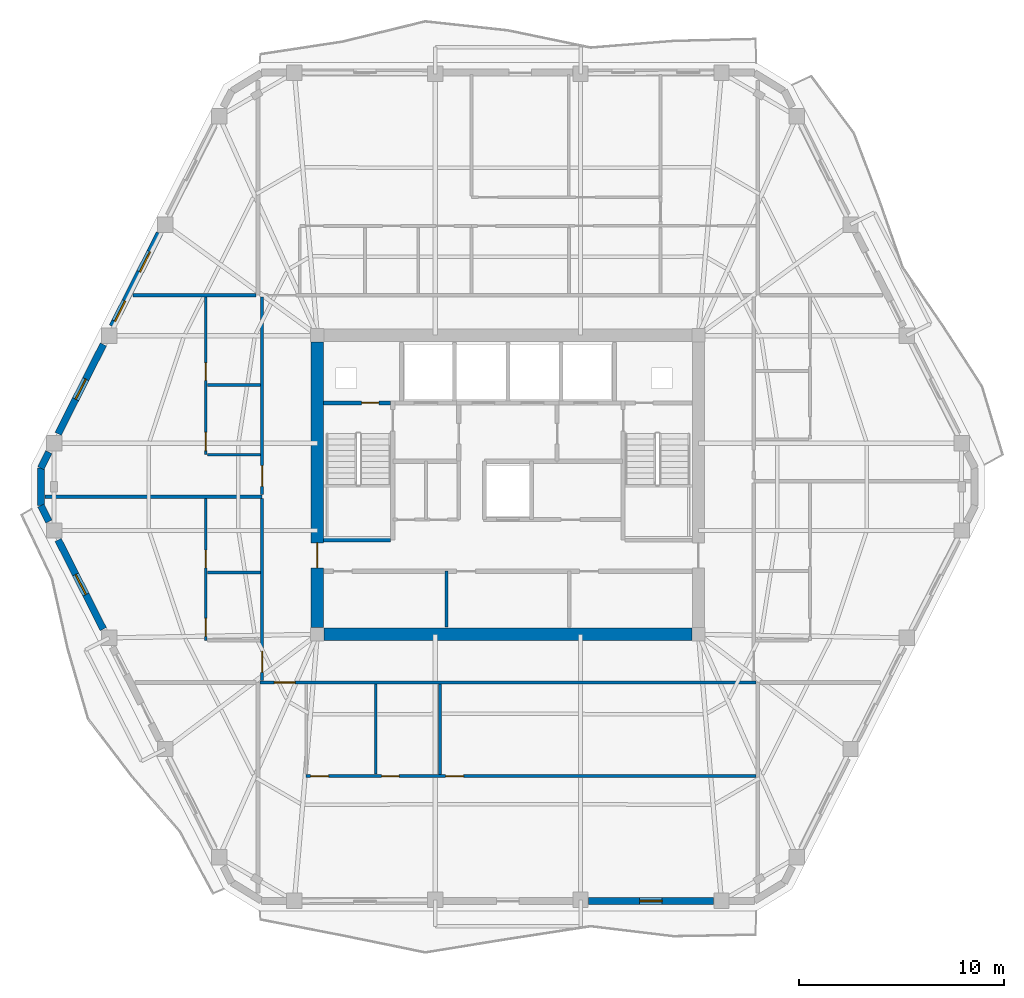
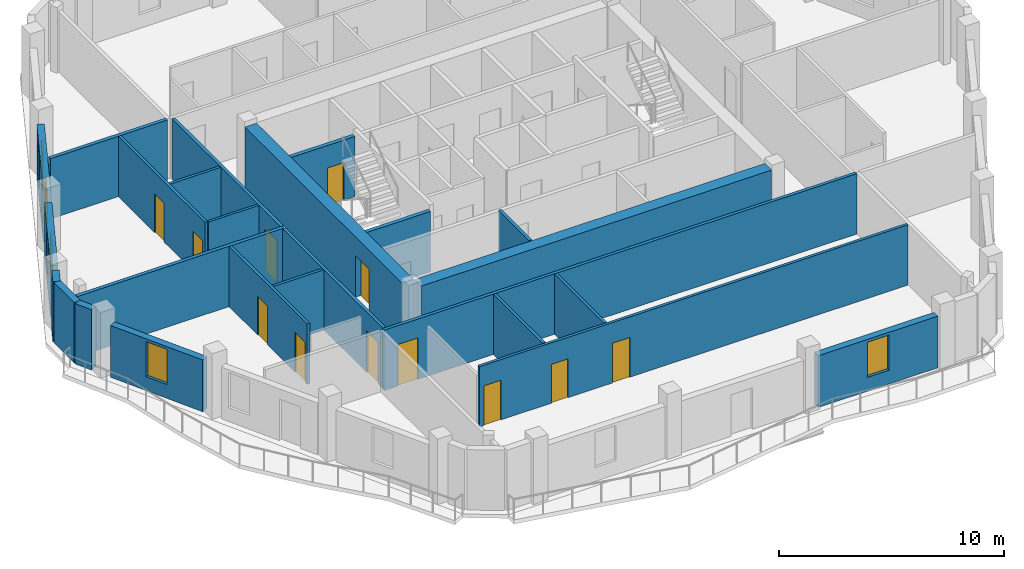
# One storey, part 4 of 10: 25 walls, 12 doors, 5 windows, 17 openings.
"""IFC4 building model written with IfcOpenShell, lengths in metres."""

import ifcopenshell
import ifcopenshell.guid

model = None  # the IFC model being written
_history = None  # IfcOwnerHistory: only IFC2X3 demands one
_inside = {}  # id of a spatial element -> (the spatial element, [elements in it])
_under = {}  # id of a project, library or spatial element -> (it, [spatial elements below it])
_declared = {}  # id of a project -> (the project, [libraries it declares])
_typed = {}  # id of a type object -> (the type object, [elements of that type])
_made_of = {}  # id of a material, layer set ... -> (it, [elements and type objects made of it])


def new_model(schema):
    """Start an empty IFC model of exactly this schema.

    Asked for "IFC4X3", IfcOpenShell would pick the latest addendum, in which some entities
    have other attributes; the version numbers below select the first issue.
    IFC2X3 requires an IfcOwnerHistory on every rooted entity: one is made here for all.
    """
    global model, _history
    if schema == "IFC4X3":
        model = ifcopenshell.file(schema_version=(4, 3, 0, 0))
    else:
        model = ifcopenshell.file(schema=schema)
    _inside.clear()
    _under.clear()
    _declared.clear()
    _typed.clear()
    _made_of.clear()
    _history = None
    if model.schema == "IFC2X3":
        org = make("IfcOrganization", Name="unknown")
        user = make(
            "IfcPersonAndOrganization",
            ThePerson=make("IfcPerson", FamilyName="unknown"),
            TheOrganization=org,
        )
        app = make(
            "IfcApplication",
            ApplicationDeveloper=org,
            Version="unknown",
            ApplicationFullName="unknown",
            ApplicationIdentifier="unknown",
        )
        _history = make(
            "IfcOwnerHistory",
            OwningUser=user,
            OwningApplication=app,
            ChangeAction="ADDED",
            CreationDate=0,
        )
    return model


def make(cls, **values):
    """One entity of the class cls with the attributes given. An attribute that is None is left unset."""
    return model.create_entity(
        cls, **{name: value for name, value in values.items() if value is not None}
    )


def rooted(cls, **values):
    """An entity with a GlobalId (a new one), such as an element, a storey or a relation."""
    return make(cls, GlobalId=ifcopenshell.guid.new(), OwnerHistory=_history, **values)


def si_unit(unit_type, name, prefix=None):
    """IfcSIUnit, for example si_unit("LENGTHUNIT", "METRE", prefix="MILLI")."""
    return make("IfcSIUnit", UnitType=unit_type, Prefix=prefix, Name=name)


def assignment(units):
    """IfcUnitAssignment: the units of a project."""
    return None if units is None else make("IfcUnitAssignment", Units=units)


def point(xyz):
    """IfcCartesianPoint."""
    return None if xyz is None else make("IfcCartesianPoint", Coordinates=xyz)


def direction(xyz):
    """IfcDirection."""
    return None if xyz is None else make("IfcDirection", DirectionRatios=xyz)


def frame(location, z_axis=None, x_axis=None):
    """IfcAxis2Placement3D, a coordinate frame: its origin and axes. An axis left out is left unset."""
    return make(
        "IfcAxis2Placement3D",
        Location=point(location),
        Axis=direction(z_axis),
        RefDirection=direction(x_axis),
    )


def frame_2d(location, x_axis=None):
    """IfcAxis2Placement2D, a coordinate frame in the plane: its origin and x axis."""
    return make(
        "IfcAxis2Placement2D", Location=point(location), RefDirection=direction(x_axis)
    )


def origin():
    """The frame at (0, 0, 0) with its axes left unset."""
    return frame((0.0, 0.0, 0.0))


def place(relative_to, where):
    """IfcLocalPlacement: puts the frame where relative to a parent placement (None: the world)."""
    return make(
        "IfcLocalPlacement", PlacementRelTo=relative_to, RelativePlacement=where
    )


def context(
    kind, dimensions, precision=None, world=None, true_north=None, identifier=None
):
    """IfcGeometricRepresentationContext, for example the 3D "Model" context."""
    return make(
        "IfcGeometricRepresentationContext",
        ContextIdentifier=identifier,
        ContextType=kind,
        CoordinateSpaceDimension=dimensions,
        Precision=precision,
        WorldCoordinateSystem=world,
        TrueNorth=true_north,
    )


def subcontext(parent, identifier, kind, view, scale=None):
    """IfcGeometricRepresentationSubContext, for example "Body" below "Model"."""
    return make(
        "IfcGeometricRepresentationSubContext",
        ContextIdentifier=identifier,
        ContextType=kind,
        ParentContext=parent,
        TargetScale=scale,
        TargetView=view,
    )


def project(units=None, contexts=None):
    """IfcProject with its units and contexts."""
    return rooted(
        "IfcProject",
        Name="project",
        RepresentationContexts=contexts,
        UnitsInContext=assignment(units),
    )


def spatial(cls, under=None, at=None, **own):
    """A site, building, storey or space (cls), placed at a placement, below another one or the project."""
    s = rooted(cls, ObjectPlacement=at, **own)
    if under is not None:
        _under.setdefault(under.id(), (under, []))[1].append(s)
    return s


def profile(cls, at=None, kind="AREA", **sizes):
    """A parametric profile (cls). Its sizes go by their IFC names, for example OverallWidth=200.0."""
    return make(cls, ProfileType=kind, Position=at, **sizes)


def rectangle(**sizes):
    """IfcRectangleProfileDef."""
    return profile("IfcRectangleProfileDef", **sizes)


def extrude(swept, where, along, depth):
    """IfcExtrudedAreaSolid: the profile swept, set in the frame where, extruded along a direction by depth."""
    return make(
        "IfcExtrudedAreaSolid",
        SweptArea=swept,
        Position=where,
        ExtrudedDirection=direction(along),
        Depth=depth,
    )


def shape(context_of_items, identifier, shape_type, items):
    """IfcShapeRepresentation: the items that make up one representation, for example the "Body"."""
    return make(
        "IfcShapeRepresentation",
        ContextOfItems=context_of_items,
        RepresentationIdentifier=identifier,
        RepresentationType=shape_type,
        Items=items,
    )


def material(Name=None, Category=None):
    """IfcMaterial."""
    return make("IfcMaterial", Name=Name, Category=Category)


def layer(
    of_material, thickness, ventilated=None, Name=None, Category=None, Priority=None
):
    """IfcMaterialLayer: one layer of a wall or slab, of a material (None: an air gap)."""
    return make(
        "IfcMaterialLayer",
        Material=of_material,
        LayerThickness=thickness,
        IsVentilated=ventilated,
        Name=Name,
        Category=Category,
        Priority=Priority,
    )


def layer_set(layers, Name=None):
    """IfcMaterialLayerSet."""
    return make("IfcMaterialLayerSet", MaterialLayers=layers, LayerSetName=Name)


def made_of(thing, what):
    """Note that an element or type object is made of a material, layer set ...; save() writes the relation."""
    if what is not None:
        _made_of.setdefault(what.id(), (what, []))[1].append(thing)
    return thing


def type_object(cls, material=None, **own):
    """A type object (cls), such as IfcWallType, which elements share."""
    return made_of(rooted(cls, **own), material)


def element(
    cls,
    number,
    at=None,
    inside=None,
    cuts=None,
    type_object=None,
    material=None,
    context=None,
    identifier="Body",
    shape_type=None,
    held_by="IfcProductDefinitionShape",
    body=None,
    shapes=None,
    **own,
):
    """One element of the class cls, such as IfcWall. Its Tag is "e" and its number.

    at: its placement. inside: the storey or other place that contains it. cuts: it is an
    opening in that element (IfcRelVoidsElement). A single representation is given by context,
    identifier, shape_type and body (its items); several are given by shapes. held_by: the class
    of the entity that holds the representations. save() writes the other relations.
    """
    e = rooted(cls, Tag="e%d" % number, ObjectPlacement=at, **own)
    if body is not None:
        shapes = [shape(context, identifier, shape_type, body)]
    if shapes is not None:
        e.Representation = make(held_by, Representations=shapes)
    if inside is not None:
        _inside.setdefault(inside.id(), (inside, []))[1].append(e)
    if cuts is not None:
        rooted(
            "IfcRelVoidsElement", RelatingBuildingElement=cuts, RelatedOpeningElement=e
        )
    if type_object is not None:
        _typed.setdefault(type_object.id(), (type_object, []))[1].append(e)
    return made_of(e, material)


def fill(opening, filler):
    """IfcRelFillsElement: the door or window that sits in an opening."""
    return rooted(
        "IfcRelFillsElement",
        RelatingOpeningElement=opening,
        RelatedBuildingElement=filler,
    )


def aggregate(whole, parts):
    """IfcRelAggregates: a whole, such as a stair, and the parts it consists of."""
    return rooted("IfcRelAggregates", RelatingObject=whole, RelatedObjects=parts)


def save(model, path):
    """Write the relations noted so far, then the file.

    IfcRelAggregates (storeys below a building ...), IfcRelContainedInSpatialStructure (elements
    in a storey), IfcRelDefinesByType, IfcRelAssociatesMaterial and IfcRelDeclares: one each for
    every whole, place, type object, material and project.
    """
    for whole, parts in _under.values():
        aggregate(whole, parts)
    for where, things in _inside.values():
        rooted(
            "IfcRelContainedInSpatialStructure",
            RelatedElements=things,
            RelatingStructure=where,
        )
    for kind, things in _typed.values():
        rooted("IfcRelDefinesByType", RelatedObjects=things, RelatingType=kind)
    for what, things in _made_of.values():
        rooted("IfcRelAssociatesMaterial", RelatedObjects=things, RelatingMaterial=what)
    for by, libraries in _declared.values():
        rooted("IfcRelDeclares", RelatingContext=by, RelatedDefinitions=libraries)
    model.write(path)


model = new_model("IFC4")

# Units and contexts
model_context = context("Model", 3, precision=1e-05, world=origin(), true_north=direction((0.0, 1.0)))
body_context = subcontext(model_context, "Body", "Model", "MODEL_VIEW")
ifc_project = project(units=[si_unit("LENGTHUNIT", "METRE"), si_unit("AREAUNIT", "SQUARE_METRE"), si_unit("VOLUMEUNIT", "CUBIC_METRE"), si_unit("PLANEANGLEUNIT", "RADIAN"), si_unit("MASSUNIT", "GRAM", prefix="KILO")], contexts=[model_context])

# Site, building, storey
site_placement = place(None, origin())
site = spatial("IfcSite", under=ifc_project, at=site_placement, CompositionType="ELEMENT")
building_placement = place(site_placement, origin())
building = spatial("IfcBuilding", under=site, at=building_placement, Name="Cinnabar Lancet Tower", CompositionType="ELEMENT")
storey_placement = place(building_placement, frame((0.0, 0.0, 218.050048828125)))
storey = spatial("IfcBuildingStorey", under=building, at=storey_placement, Name="L58", CompositionType="ELEMENT", Elevation=218.050048828125)

# Wall
ifc_material_1 = material(Name="Acoustic twin-stud gypsum partition", Category="gypsum")
ifc_layer_1 = layer(ifc_material_1, 0.159912109375)
ifc_layer_set_1 = layer_set([ifc_layer_1], Name="Acoustic twin-stud gypsum partition")
wall_type_1 = type_object("IfcWallType", Name="ARC-WL-CORR-160", PredefinedType="PARTITIONING", material=ifc_layer_set_1)
wall_1_placement = place(storey_placement, frame((29.39990234375, 18.949951171875, 0.0), z_axis=(0.0, 0.0, 1.0), x_axis=(0.0, 1.0, 0.0)))
element("IfcWall", 1, at=wall_1_placement, inside=storey, type_object=wall_type_1, Name="CW-SB-2940-L58", PredefinedType="PARTITIONING", context=body_context, shape_type="SweptSolid", body=[
    extrude(rectangle(XDim=2.72998046875, YDim=0.159912109375, at=frame_2d((1.364990234375, 0.0))), origin(), (0.0, 0.0, 1.0), 3.27001953125),
])

# Wall, opening, door
wall_2_placement = place(storey_placement, frame((20.294921875, 16.25, 0.0), z_axis=(0.0, 0.0, 1.0), x_axis=(1.0, 0.0, 0.0)))
wall_2 = element("IfcWall", 2, at=wall_2_placement, inside=storey, type_object=wall_type_1, Name="L58 Unit S01 Corridor Wall", PredefinedType="PARTITIONING", context=body_context, shape_type="SweptSolid", body=[
    extrude(rectangle(XDim=24.2099609375, YDim=0.159912109375, at=frame_2d((12.10498046875, 0.0))), origin(), (0.0, 0.0, 1.0), 3.27001953125),
])
opening_1_placement = place(wall_2_placement, frame((0.705078125, 0.0, 0.0)))
opening_1 = element("IfcOpeningElement", 3, at=opening_1_placement, cuts=wall_2, Name="Opening UD-01", PredefinedType="OPENING", context=body_context, shape_type="SweptSolid", body=[
    extrude(rectangle(XDim=1.02001953125, YDim=2.25, at=frame_2d((0.510009765625, 1.125))), frame((0.0, 0.08984375, 0.0), z_axis=(0.0, -1.0, 0.0), x_axis=(1.0, 0.0, 0.0)), (0.0, 0.0, 1.0), 0.179931640625),
])
ifc_material_2 = material(Name="Solid timber fire-rated apartment entrance door", Category="wood")
door_type_1 = type_object("IfcDoorType", Name="ARC-DR-UNIT", OperationType="NOTDEFINED", PredefinedType="DOOR", material=ifc_material_2)
door_1_placement = place(opening_1_placement, origin())
door_1 = element("IfcDoor", 4, at=door_1_placement, inside=storey, type_object=door_type_1, Name="DR-L58-S01-ENT", OperationType="SINGLE_SWING_LEFT", OverallHeight=2.25, OverallWidth=1.02001953125, PredefinedType="DOOR", context=body_context, shape_type="SweptSolid", body=[
    extrude(rectangle(XDim=1.02001953125, YDim=2.25, at=frame_2d((0.510009765625, 1.125))), frame((0.0, 0.02490234375, 0.0), z_axis=(0.0, -1.0, 0.0), x_axis=(1.0, 0.0, 0.0)), (0.0, 0.0, 1.0), 0.050048828125),
])
fill(opening_1, door_1)

wall_3_placement = place(storey_placement, frame((20.39990234375, 16.344970703125, 0.0), z_axis=(0.0, 0.0, 1.0), x_axis=(0.0, 1.0, 0.0)))
wall_3 = element("IfcWall", 5, at=wall_3_placement, inside=storey, type_object=wall_type_1, Name="UW-L58-W01-COR", PredefinedType="PARTITIONING", context=body_context, shape_type="SweptSolid", body=[
    extrude(rectangle(XDim=8.882080078125, YDim=0.159912109375, at=frame_2d((4.44091796875, 0.0))), origin(), (0.0, 0.0, 1.0), 3.27001953125),
])
opening_2_placement = place(wall_3_placement, frame((0.39990234375, 0.0, 0.0)))
opening_2 = element("IfcOpeningElement", 6, at=opening_2_placement, cuts=wall_3, Name="Opening UD-01", PredefinedType="OPENING", context=body_context, shape_type="SweptSolid", body=[
    extrude(rectangle(XDim=1.02001953125, YDim=2.25, at=frame_2d((0.510009765625, 1.125))), frame((0.0, 0.08984375, 0.0), z_axis=(0.0, -1.0, 0.0), x_axis=(1.0, 0.0, 0.0)), (0.0, 0.0, 1.0), 0.179931640625),
])
door_2_placement = place(opening_2_placement, origin())
door_2 = element("IfcDoor", 7, at=door_2_placement, inside=storey, type_object=door_type_1, Name="DR-L58-W01-ENT", OperationType="SINGLE_SWING_LEFT", OverallHeight=2.25, OverallWidth=1.02001953125, PredefinedType="DOOR", context=body_context, shape_type="SweptSolid", body=[
    extrude(rectangle(XDim=1.02001953125, YDim=2.25, at=frame_2d((0.510009765625, 1.125))), frame((0.0, 0.02490234375, 0.0), z_axis=(0.0, -1.0, 0.0), x_axis=(1.0, 0.0, 0.0)), (0.0, 0.0, 1.0), 0.050048828125),
])
fill(opening_2, door_2)

wall_4_placement = place(storey_placement, frame((20.39990234375, 25.4169921875, 0.0), z_axis=(0.0, 0.0, 1.0), x_axis=(0.0, 1.0, 0.0)))
wall_4 = element("IfcWall", 8, at=wall_4_placement, inside=storey, type_object=wall_type_1, Name="UW-L58-W02-COR", PredefinedType="PARTITIONING", context=body_context, shape_type="SweptSolid", body=[
    extrude(rectangle(XDim=9.637939453125, YDim=0.159912109375, at=frame_2d((4.81884765625, 0.0))), origin(), (0.0, 0.0, 1.0), 3.27001953125),
])
opening_3_placement = place(wall_4_placement, frame((0.39990234375, 0.0, 0.0)))
opening_3 = element("IfcOpeningElement", 9, at=opening_3_placement, cuts=wall_4, Name="Opening UD-01", PredefinedType="OPENING", context=body_context, shape_type="SweptSolid", body=[
    extrude(rectangle(XDim=1.02001953125, YDim=2.25, at=frame_2d((0.510009765625, 1.125))), frame((0.0, 0.08984375, 0.0), z_axis=(0.0, -1.0, 0.0), x_axis=(1.0, 0.0, 0.0)), (0.0, 0.0, 1.0), 0.179931640625),
])
door_3_placement = place(opening_3_placement, origin())
door_3 = element("IfcDoor", 10, at=door_3_placement, inside=storey, type_object=door_type_1, Name="DR-L58-W02-ENT", OperationType="SINGLE_SWING_RIGHT", OverallHeight=2.25, OverallWidth=1.02001953125, PredefinedType="DOOR", context=body_context, shape_type="SweptSolid", body=[
    extrude(rectangle(XDim=1.02001953125, YDim=2.25, at=frame_2d((0.510009765625, 1.125))), frame((0.0, 0.02490234375, 0.0), z_axis=(0.0, -1.0, 0.0), x_axis=(1.0, 0.0, 0.0)), (0.0, 0.0, 1.0), 0.050048828125),
])
fill(opening_3, door_3)

# Walls
ifc_material_3 = material(Name="Fire-rated twin-frame acoustic drywall", Category="gypsum")
ifc_layer_2 = layer(ifc_material_3, 0.179931640625)
ifc_layer_set_2 = layer_set([ifc_layer_2], Name="Fire-rated twin-frame acoustic drywall")
wall_type_2 = type_object("IfcWallType", Name="ARC-WL-PARTY-180", PredefinedType="PARTITIONING", material=ifc_layer_set_2)
wall_5_placement = place(storey_placement, frame((14.110107421875, 35.14990234375, 0.0), z_axis=(0.0, 0.0, 1.0), x_axis=(1.0, 0.0, 0.0)))
element("IfcWall", 11, at=wall_5_placement, inside=storey, type_object=wall_type_2, Name="PW-L58-WNB", PredefinedType="PARTITIONING", context=body_context, shape_type="SweptSolid", body=[
    extrude(rectangle(XDim=5.994873046875, YDim=0.179931640625, at=frame_2d((2.99755859375, 0.0))), origin(), (0.0, 0.0, 1.0), 3.27001953125),
])
wall_6_placement = place(storey_placement, frame((9.797119140625, 25.322021484375, 0.0), z_axis=(0.0, 0.0, 1.0), x_axis=(1.0, 0.0, 0.0)))
element("IfcWall", 12, at=wall_6_placement, inside=storey, type_object=wall_type_2, Name="PW-L58-WPTY-1", PredefinedType="PARTITIONING", context=body_context, shape_type="SweptSolid", body=[
    extrude(rectangle(XDim=10.602783203125, YDim=0.179931640625, at=frame_2d((5.30126953125, 0.0))), origin(), (0.0, 0.0, 1.0), 3.27001953125),
])
ifc_material_4 = material(Name="Autoclaved aerated concrete blockwork", Category="masonry")
ifc_layer_3 = layer(ifc_material_4, 0.199951171875)
ifc_layer_set_3 = layer_set([ifc_layer_3], Name="Autoclaved aerated concrete blockwork")
wall_type_3 = type_object("IfcWallType", Name="ARC-WL-SHAFT-200", PredefinedType="PLUMBINGWALL", material=ifc_layer_set_3)
wall_7_placement = place(storey_placement, frame((23.405029296875, 23.199951171875, 0.0), z_axis=(0.0, 0.0, 1.0), x_axis=(1.0, 0.0, 0.0)))
element("IfcWall", 13, at=wall_7_placement, inside=storey, type_object=wall_type_3, Name="CW-ST1S-L58", PredefinedType="PLUMBINGWALL", context=body_context, shape_type="SweptSolid", body=[
    extrude(rectangle(XDim=3.27001953125, YDim=0.199951171875, at=frame_2d((1.635009765625, 0.0))), origin(), (0.0, 0.0, 1.0), 3.27001953125),
])

# Wall, opening, door
wall_8_placement = place(storey_placement, frame((23.405029296875, 29.89990234375, 0.0), z_axis=(0.0, 0.0, 1.0), x_axis=(1.0, 0.0, 0.0)))
wall_8 = element("IfcWall", 14, at=wall_8_placement, inside=storey, type_object=wall_type_3, Name="CW-NSH-W-L58", PredefinedType="PLUMBINGWALL", context=body_context, shape_type="SweptSolid", body=[
    extrude(rectangle(XDim=3.27001953125, YDim=0.199951171875, at=frame_2d((1.635009765625, 0.0))), origin(), (0.0, 0.0, 1.0), 3.27001953125),
])
opening_4_placement = place(wall_8_placement, frame((1.85009765625, 0.0, 0.0)))
opening_4 = element("IfcOpeningElement", 15, at=opening_4_placement, cuts=wall_8, Name="Opening PD-02", PredefinedType="OPENING", context=body_context, shape_type="SweptSolid", body=[
    extrude(rectangle(XDim=0.85009765625, YDim=2.050048828125, at=frame_2d((0.425048828125, 1.02490234375))), frame((0.0, 0.10986328125, 0.0), z_axis=(0.0, -1.0, 0.0), x_axis=(1.0, 0.0, 0.0)), (0.0, 0.0, 1.0), 0.219970703125),
])
ifc_material_5 = material(Name="Fire-rated steel riser access door", Category="steel")
door_type_2 = type_object("IfcDoorType", Name="ARC-DR-RISER", OperationType="NOTDEFINED", PredefinedType="DOOR", material=ifc_material_5)
door_4_placement = place(opening_4_placement, origin())
door_4 = element("IfcDoor", 16, at=door_4_placement, inside=storey, type_object=door_type_2, Name="L58 West Riser Access Door", OperationType="SINGLE_SWING_LEFT", OverallHeight=2.050048828125, OverallWidth=0.85009765625, PredefinedType="DOOR", context=body_context, shape_type="SweptSolid", body=[
    extrude(rectangle(XDim=0.85009765625, YDim=2.050048828125, at=frame_2d((0.425048828125, 1.02490234375))), frame((0.0, 0.02490234375, 0.0), z_axis=(0.0, -1.0, 0.0), x_axis=(1.0, 0.0, 0.0)), (0.0, 0.0, 1.0), 0.050048828125),
])
fill(opening_4, door_4)

# Wall
ifc_material_6 = material(Name="Gypsum plasterboard stud partition", Category="gypsum")
ifc_layer_4 = layer(ifc_material_6, 0.125)
ifc_layer_set_4 = layer_set([ifc_layer_4], Name="Gypsum plasterboard stud partition")
wall_type_4 = type_object("IfcWallType", Name="ARC-WL-UNIT-125", PredefinedType="PARTITIONING", material=ifc_layer_set_4)
wall_9_placement = place(storey_placement, frame((17.735107421875, 27.3720703125, 0.0), z_axis=(0.0, 0.0, 1.0), x_axis=(1.0, 0.0, 0.0)))
element("IfcWall", 17, at=wall_9_placement, inside=storey, type_object=wall_type_4, Name="UW-L58-W02-FOYN", PredefinedType="PARTITIONING", context=body_context, shape_type="SweptSolid", body=[
    extrude(rectangle(XDim=2.579833984375, YDim=0.125, at=frame_2d((1.2900390625, 0.0))), origin(), (0.0, 0.0, 1.0), 3.27001953125),
])

# Wall, openings, doors
ifc_material_7 = material(Name="Moisture-resistant cement-board plumbing wall", Category="masonry")
ifc_layer_5 = layer(ifc_material_7, 0.139892578125)
ifc_layer_set_5 = layer_set([ifc_layer_5], Name="Moisture-resistant cement-board plumbing wall")
wall_type_5 = type_object("IfcWallType", Name="ARC-WL-WET-140", PredefinedType="PLUMBINGWALL", material=ifc_layer_set_5)
wall_10_placement = place(storey_placement, frame((22.550048828125, 11.68505859375, 0.0), z_axis=(0.0, 0.0, 1.0), x_axis=(1.0, 0.0, 0.0)))
wall_10 = element("IfcWall", 18, at=wall_10_placement, inside=storey, type_object=wall_type_5, Name="UW-L58-S01-SPL", PredefinedType="PLUMBINGWALL", context=body_context, shape_type="SweptSolid", body=[
    extrude(rectangle(XDim=21.954833984375, YDim=0.139892578125, at=frame_2d((10.9775390625, 0.0))), origin(), (0.0, 0.0, 1.0), 3.27001953125),
])
opening_5_placement = place(wall_10_placement, frame((3.679931640625, 0.0, 0.0)))
opening_5 = element("IfcOpeningElement", 19, at=opening_5_placement, cuts=wall_10, Name="Opening BD-01", PredefinedType="OPENING", context=body_context, shape_type="SweptSolid", body=[
    extrude(rectangle(XDim=0.860107421875, YDim=2.10009765625, at=frame_2d((0.43017578125, 1.050048828125))), frame((0.0, 0.079833984375, 0.0), z_axis=(0.0, -1.0, 0.0), x_axis=(1.0, 0.0, 0.0)), (0.0, 0.0, 1.0), 0.159912109375),
])
opening_6_placement = place(wall_10_placement, frame((6.81298828125, 0.0, 0.0)))
opening_6 = element("IfcOpeningElement", 20, at=opening_6_placement, cuts=wall_10, Name="Opening RD-02", PredefinedType="OPENING", context=body_context, shape_type="SweptSolid", body=[
    extrude(rectangle(XDim=0.8798828125, YDim=2.14990234375, at=frame_2d((0.43994140625, 1.074951171875))), frame((0.0, 0.079833984375, 0.0), z_axis=(0.0, -1.0, 0.0), x_axis=(1.0, 0.0, 0.0)), (0.0, 0.0, 1.0), 0.159912109375),
])
opening_7_placement = place(wall_10_placement, frame((0.219970703125, 0.0, 0.0)))
opening_7 = element("IfcOpeningElement", 21, at=opening_7_placement, cuts=wall_10, Name="Opening RD-02", PredefinedType="OPENING", context=body_context, shape_type="SweptSolid", body=[
    extrude(rectangle(XDim=0.8798828125, YDim=2.14990234375, at=frame_2d((0.43994140625, 1.074951171875))), frame((0.0, 0.079833984375, 0.0), z_axis=(0.0, -1.0, 0.0), x_axis=(1.0, 0.0, 0.0)), (0.0, 0.0, 1.0), 0.159912109375),
])
ifc_material_8 = material(Name="Moisture-resistant timber bathroom door", Category="wood")
door_type_3 = type_object("IfcDoorType", Name="ARC-DR-BATH", OperationType="NOTDEFINED", PredefinedType="DOOR", material=ifc_material_8)
door_5_placement = place(opening_5_placement, origin())
door_5 = element("IfcDoor", 22, at=door_5_placement, inside=storey, type_object=door_type_3, Name="DR-L58-S01-BTH", OperationType="SINGLE_SWING_LEFT", OverallHeight=2.10009765625, OverallWidth=0.860107421875, PredefinedType="DOOR", context=body_context, shape_type="SweptSolid", body=[
    extrude(rectangle(XDim=0.860107421875, YDim=2.10009765625, at=frame_2d((0.43017578125, 1.050048828125))), frame((0.0, 0.02490234375, 0.0), z_axis=(0.0, -1.0, 0.0), x_axis=(1.0, 0.0, 0.0)), (0.0, 0.0, 1.0), 0.050048828125),
])
fill(opening_5, door_5)
ifc_material_9 = material(Name="Engineered timber study door", Category="wood")
door_type_4 = type_object("IfcDoorType", Name="ARC-DR-STUDY", OperationType="NOTDEFINED", PredefinedType="DOOR", material=ifc_material_9)
door_6_placement = place(opening_6_placement, origin())
door_6 = element("IfcDoor", 23, at=door_6_placement, inside=storey, type_object=door_type_4, Name="DR-L58-S01-BTH-WDR", OperationType="SINGLE_SWING_RIGHT", OverallHeight=2.14990234375, OverallWidth=0.8798828125, PredefinedType="DOOR", context=body_context, shape_type="SweptSolid", body=[
    extrude(rectangle(XDim=0.8798828125, YDim=2.14990234375, at=frame_2d((0.43994140625, 1.074951171875))), frame((0.0, 0.02490234375, 0.0), z_axis=(0.0, -1.0, 0.0), x_axis=(1.0, 0.0, 0.0)), (0.0, 0.0, 1.0), 0.050048828125),
])
fill(opening_6, door_6)
door_7_placement = place(opening_7_placement, origin())
door_7 = element("IfcDoor", 24, at=door_7_placement, inside=storey, type_object=door_type_4, Name="DR-L58-S01-KIT", OperationType="SINGLE_SWING_RIGHT", OverallHeight=2.14990234375, OverallWidth=0.8798828125, PredefinedType="DOOR", context=body_context, shape_type="SweptSolid", body=[
    extrude(rectangle(XDim=0.8798828125, YDim=2.14990234375, at=frame_2d((0.43994140625, 1.074951171875))), frame((0.0, 0.02490234375, 0.0), z_axis=(0.0, -1.0, 0.0), x_axis=(1.0, 0.0, 0.0)), (0.0, 0.0, 1.0), 0.050048828125),
])
fill(opening_7, door_7)

# Walls
wall_11_placement = place(storey_placement, frame((25.949951171875, 11.7900390625, 0.0), z_axis=(0.0, 0.0, 1.0), x_axis=(0.0, 1.0, 0.0)))
element("IfcWall", 25, at=wall_11_placement, inside=storey, type_object=wall_type_5, Name="UW-L58-S01-KDV", PredefinedType="PLUMBINGWALL", context=body_context, shape_type="SweptSolid", body=[
    extrude(rectangle(XDim=4.375, YDim=0.139892578125, at=frame_2d((2.1875, 0.0))), origin(), (0.0, 0.0, 1.0), 3.27001953125),
])
wall_12_placement = place(storey_placement, frame((29.0830078125, 11.77001953125, 0.0), z_axis=(0.0, 0.0, 1.0), x_axis=(0.0, 1.0, 0.0)))
element("IfcWall", 26, at=wall_12_placement, inside=storey, type_object=wall_type_5, Name="UW-L58-S01-BTH-WDV", PredefinedType="PLUMBINGWALL", context=body_context, shape_type="SweptSolid", body=[
    extrude(rectangle(XDim=4.39501953125, YDim=0.139892578125, at=frame_2d((2.197509765625, 0.0))), origin(), (0.0, 0.0, 1.0), 3.27001953125),
])

# Wall, openings, doors
wall_13_placement = place(storey_placement, frame((17.64990234375, 18.300048828125, 0.0), z_axis=(0.0, 0.0, 1.0), x_axis=(0.0, 1.0, 0.0)))
wall_13 = element("IfcWall", 27, at=wall_13_placement, inside=storey, type_object=wall_type_5, Name="UW-L58-W01-SPL", PredefinedType="PLUMBINGWALL", context=body_context, shape_type="SweptSolid", body=[
    extrude(rectangle(XDim=6.927001953125, YDim=0.139892578125, at=frame_2d((3.46337890625, 0.0))), origin(), (0.0, 0.0, 1.0), 3.27001953125),
])
opening_8_placement = place(wall_13_placement, frame((3.544921875, 0.0, 0.0)))
opening_8 = element("IfcOpeningElement", 28, at=opening_8_placement, cuts=wall_13, Name="Opening BD-01", PredefinedType="OPENING", context=body_context, shape_type="SweptSolid", body=[
    extrude(rectangle(XDim=0.860107421875, YDim=2.10009765625, at=frame_2d((0.43017578125, 1.050048828125))), frame((0.0, 0.079833984375, 0.0), z_axis=(0.0, -1.0, 0.0), x_axis=(1.0, 0.0, 0.0)), (0.0, 0.0, 1.0), 0.159912109375),
])
opening_9_placement = place(wall_13_placement, frame((0.199951171875, 0.0, 0.0)))
opening_9 = element("IfcOpeningElement", 29, at=opening_9_placement, cuts=wall_13, Name="Opening RD-02", PredefinedType="OPENING", context=body_context, shape_type="SweptSolid", body=[
    extrude(rectangle(XDim=0.8798828125, YDim=2.14990234375, at=frame_2d((0.43994140625, 1.074951171875))), frame((0.0, 0.079833984375, 0.0), z_axis=(0.0, -1.0, 0.0), x_axis=(1.0, 0.0, 0.0)), (0.0, 0.0, 1.0), 0.159912109375),
])
door_8_placement = place(opening_8_placement, origin())
door_8 = element("IfcDoor", 30, at=door_8_placement, inside=storey, type_object=door_type_3, Name="DR-L58-W01-BTH", OperationType="SINGLE_SWING_LEFT", OverallHeight=2.10009765625, OverallWidth=0.860107421875, PredefinedType="DOOR", context=body_context, shape_type="SweptSolid", body=[
    extrude(rectangle(XDim=0.860107421875, YDim=2.10009765625, at=frame_2d((0.43017578125, 1.050048828125))), frame((0.0, 0.02490234375, 0.0), z_axis=(0.0, -1.0, 0.0), x_axis=(1.0, 0.0, 0.0)), (0.0, 0.0, 1.0), 0.050048828125),
])
fill(opening_8, door_8)
door_9_placement = place(opening_9_placement, origin())
door_9 = element("IfcDoor", 31, at=door_9_placement, inside=storey, type_object=door_type_4, Name="DR-L58-W01-KIT", OperationType="SINGLE_SWING_RIGHT", OverallHeight=2.14990234375, OverallWidth=0.8798828125, PredefinedType="DOOR", context=body_context, shape_type="SweptSolid", body=[
    extrude(rectangle(XDim=0.8798828125, YDim=2.14990234375, at=frame_2d((0.43994140625, 1.074951171875))), frame((0.0, 0.02490234375, 0.0), z_axis=(0.0, -1.0, 0.0), x_axis=(1.0, 0.0, 0.0)), (0.0, 0.0, 1.0), 0.050048828125),
])
fill(opening_9, door_9)

# Wall
wall_14_placement = place(storey_placement, frame((17.735107421875, 21.625, 0.0), z_axis=(0.0, 0.0, 1.0), x_axis=(1.0, 0.0, 0.0)))
element("IfcWall", 32, at=wall_14_placement, inside=storey, type_object=wall_type_5, Name="UW-L58-W01-KDV", PredefinedType="PLUMBINGWALL", context=body_context, shape_type="SweptSolid", body=[
    extrude(rectangle(XDim=2.579833984375, YDim=0.139892578125, at=frame_2d((1.2900390625, 0.0))), origin(), (0.0, 0.0, 1.0), 3.27001953125),
])

# Wall, openings, doors
wall_15_placement = place(storey_placement, frame((17.64990234375, 27.3720703125, 0.0), z_axis=(0.0, 0.0, 1.0), x_axis=(0.0, 1.0, 0.0)))
wall_15 = element("IfcWall", 33, at=wall_15_placement, inside=storey, type_object=wall_type_5, Name="UW-L58-W02-SPL", PredefinedType="PLUMBINGWALL", context=body_context, shape_type="SweptSolid", body=[
    extrude(rectangle(XDim=7.682861328125, YDim=0.139892578125, at=frame_2d((3.84130859375, 0.0))), origin(), (0.0, 0.0, 1.0), 3.27001953125),
])
opening_10_placement = place(wall_15_placement, frame((3.6201171875, 0.0, 0.0)))
opening_10 = element("IfcOpeningElement", 34, at=opening_10_placement, cuts=wall_15, Name="Opening BD-01", PredefinedType="OPENING", context=body_context, shape_type="SweptSolid", body=[
    extrude(rectangle(XDim=0.860107421875, YDim=2.10009765625, at=frame_2d((0.43017578125, 1.050048828125))), frame((0.0, 0.079833984375, 0.0), z_axis=(0.0, -1.0, 0.0), x_axis=(1.0, 0.0, 0.0)), (0.0, 0.0, 1.0), 0.159912109375),
])
opening_11_placement = place(wall_15_placement, frame((0.199951171875, 0.0, 0.0)))
opening_11 = element("IfcOpeningElement", 35, at=opening_11_placement, cuts=wall_15, Name="Opening RD-02", PredefinedType="OPENING", context=body_context, shape_type="SweptSolid", body=[
    extrude(rectangle(XDim=0.8798828125, YDim=2.14990234375, at=frame_2d((0.43994140625, 1.074951171875))), frame((0.0, 0.079833984375, 0.0), z_axis=(0.0, -1.0, 0.0), x_axis=(1.0, 0.0, 0.0)), (0.0, 0.0, 1.0), 0.159912109375),
])
door_10_placement = place(opening_10_placement, origin())
door_10 = element("IfcDoor", 36, at=door_10_placement, inside=storey, type_object=door_type_3, Name="DR-L58-W02-BTH", OperationType="SINGLE_SWING_RIGHT", OverallHeight=2.10009765625, OverallWidth=0.860107421875, PredefinedType="DOOR", context=body_context, shape_type="SweptSolid", body=[
    extrude(rectangle(XDim=0.860107421875, YDim=2.10009765625, at=frame_2d((0.43017578125, 1.050048828125))), frame((0.0, 0.02490234375, 0.0), z_axis=(0.0, -1.0, 0.0), x_axis=(1.0, 0.0, 0.0)), (0.0, 0.0, 1.0), 0.050048828125),
])
fill(opening_10, door_10)
door_11_placement = place(opening_11_placement, origin())
door_11 = element("IfcDoor", 37, at=door_11_placement, inside=storey, type_object=door_type_4, Name="DR-L58-W02-KIT", OperationType="SINGLE_SWING_LEFT", OverallHeight=2.14990234375, OverallWidth=0.8798828125, PredefinedType="DOOR", context=body_context, shape_type="SweptSolid", body=[
    extrude(rectangle(XDim=0.8798828125, YDim=2.14990234375, at=frame_2d((0.43994140625, 1.074951171875))), frame((0.0, 0.02490234375, 0.0), z_axis=(0.0, -1.0, 0.0), x_axis=(1.0, 0.0, 0.0)), (0.0, 0.0, 1.0), 0.050048828125),
])
fill(opening_11, door_11)

# Walls
wall_16_placement = place(storey_placement, frame((17.735107421875, 30.77197265625, 0.0), z_axis=(0.0, 0.0, 1.0), x_axis=(1.0, 0.0, 0.0)))
element("IfcWall", 38, at=wall_16_placement, inside=storey, type_object=wall_type_5, Name="UW-L58-W02-KDV", PredefinedType="PLUMBINGWALL", context=body_context, shape_type="SweptSolid", body=[
    extrude(rectangle(XDim=2.579833984375, YDim=0.139892578125, at=frame_2d((1.2900390625, 0.0))), origin(), (0.0, 0.0, 1.0), 3.27001953125),
])
ifc_material_10 = material(Name="Cinnabar red clay brick", Category="masonry")
ifc_layer_6 = layer(ifc_material_10, 0.340087890625)
ifc_layer_set_6 = layer_set([ifc_layer_6], Name="Cinnabar red clay brick")
wall_type_6 = type_object("IfcWallType", Name="ENV-WL-BRK-RED-340", PredefinedType="STANDARD", material=ifc_layer_set_6)
wall_17_placement = place(storey_placement, frame((9.6220703125, 26.7080078125, 0.0), z_axis=(0.0, 0.0, 1.0), x_axis=(0.0, -1.0, 0.0)))
element("IfcWall", 39, at=wall_17_placement, inside=storey, type_object=wall_type_6, Name="L58 Chamfered Corner Brick Pier 6.1", PredefinedType="STANDARD", context=body_context, shape_type="SweptSolid", body=[
    extrude(rectangle(XDim=1.81591796875, YDim=0.340087890625, at=frame_2d((0.907958984375, 0.0))), origin(), (0.0, 0.0, 1.0), 3.27001953125),
])

# Wall, opening, window
wall_18_placement = place(storey_placement, frame((36.322021484375, 5.580078125, 0.0), z_axis=(0.0, 0.0, 1.0), x_axis=(1.0, 0.0, 0.0)))
wall_18 = element("IfcWall", 40, at=wall_18_placement, inside=storey, type_object=wall_type_6, Name="L58 Face 1 Masonry Bay Wall 4", PredefinedType="STANDARD", context=body_context, shape_type="SweptSolid", body=[
    extrude(rectangle(XDim=6.119873046875, YDim=0.340087890625, at=frame_2d((3.06005859375, 0.0))), origin(), (0.0, 0.0, 1.0), 2.802978515625),
])
opening_12_placement = place(wall_18_placement, frame((2.510009765625, 0.0, 0.75)))
opening_12 = element("IfcOpeningElement", 41, at=opening_12_placement, cuts=wall_18, Name="Opening WN-04", PredefinedType="OPENING", context=body_context, shape_type="SweptSolid", body=[
    extrude(rectangle(XDim=1.10009765625, YDim=1.903076171875, at=frame_2d((0.550048828125, 0.95166015625))), frame((0.0, 0.179931640625, 0.0), z_axis=(0.0, -1.0, 0.0), x_axis=(1.0, 0.0, 0.0)), (0.0, 0.0, 1.0), 0.360107421875),
])
ifc_material_11 = material(Name="Thermally broken bronze-anodized aluminium tall lancet window", Category="aluminium")
window_type = type_object("IfcWindowType", Name="ENV-WN-LANCET-1100", PartitioningType="SINGLE_PANEL", PredefinedType="WINDOW", material=ifc_material_11)
window_1_placement = place(opening_12_placement, origin())
window_1 = element("IfcWindow", 42, at=window_1_placement, inside=storey, type_object=window_type, Name="L58 Face 1 Gothic Lancet Window 4", OverallHeight=1.903076171875, OverallWidth=1.10009765625, PartitioningType="SINGLE_PANEL", PredefinedType="WINDOW", context=body_context, shape_type="SweptSolid", body=[
    extrude(rectangle(XDim=1.10009765625, YDim=1.903076171875, at=frame_2d((0.550048828125, 0.95166015625))), frame((0.0, 0.030029296875, 0.0), z_axis=(0.0, -1.0, 0.0), x_axis=(1.0, 0.0, 0.0)), (0.0, 0.0, 1.0), 0.06005859375),
])
fill(opening_12, window_1)

# Wall, openings, windows
wall_19_placement = place(storey_placement, frame((15.39697265625, 38.173095703125, 0.0), z_axis=(0.0, 0.0, 1.0), x_axis=(-0.451444616922, -0.892299141461, 0.0)))
wall_19 = element("IfcWall", 43, at=wall_19_placement, inside=storey, type_object=wall_type_6, Name="L58 Face 5 Masonry Bay Wall 3", PredefinedType="STANDARD", context=body_context, shape_type="SweptSolid", body=[
    extrude(rectangle(XDim=5.094970703125, YDim=0.340087890625, at=frame_2d((2.54736328125, 0.0))), origin(), (0.0, 0.0, 1.0), 2.802978515625),
])
opening_13_placement = place(wall_19_placement, frame((1.013916015625, 0.0, 0.75)))
opening_13 = element("IfcOpeningElement", 44, at=opening_13_placement, cuts=wall_19, Name="Opening WN-04", PredefinedType="OPENING", context=body_context, shape_type="SweptSolid", body=[
    extrude(rectangle(XDim=1.10009765625, YDim=1.903076171875, at=frame_2d((0.550048828125, 0.95166015625))), frame((0.0, 0.179931640625, 0.0), z_axis=(0.0, -1.0, 0.0), x_axis=(1.0, 0.0, 0.0)), (0.0, 0.0, 1.0), 0.360107421875),
])
opening_14_placement = place(wall_19_placement, frame((3.7119140625, 0.0, 0.75)))
opening_14 = element("IfcOpeningElement", 45, at=opening_14_placement, cuts=wall_19, Name="Opening WN-04", PredefinedType="OPENING", context=body_context, shape_type="SweptSolid", body=[
    extrude(rectangle(XDim=1.10009765625, YDim=1.903076171875, at=frame_2d((0.550048828125, 0.95166015625))), frame((0.0, 0.179931640625, 0.0), z_axis=(0.0, -1.0, 0.0), x_axis=(1.0, 0.0, 0.0)), (0.0, 0.0, 1.0), 0.360107421875),
])
window_2_placement = place(opening_13_placement, origin())
window_2 = element("IfcWindow", 46, at=window_2_placement, inside=storey, type_object=window_type, Name="L58 Face 5 Gothic Lancet Window 3", OverallHeight=1.903076171875, OverallWidth=1.10009765625, PartitioningType="SINGLE_PANEL", PredefinedType="WINDOW", context=body_context, shape_type="SweptSolid", body=[
    extrude(rectangle(XDim=1.10009765625, YDim=1.903076171875, at=frame_2d((0.550048828125, 0.95166015625))), frame((0.0, 0.030029296875, 0.0), z_axis=(0.0, -1.0, 0.0), x_axis=(1.0, 0.0, 0.0)), (0.0, 0.0, 1.0), 0.06005859375),
])
fill(opening_13, window_2)
window_3_placement = place(opening_14_placement, origin())
window_3 = element("IfcWindow", 47, at=window_3_placement, inside=storey, type_object=window_type, Name="L58 Split-Bay Gothic Lancet Window 205", OverallHeight=1.903076171875, OverallWidth=1.10009765625, PartitioningType="SINGLE_PANEL", PredefinedType="WINDOW", context=body_context, shape_type="SweptSolid", body=[
    extrude(rectangle(XDim=1.10009765625, YDim=1.903076171875, at=frame_2d((0.550048828125, 0.95166015625))), frame((0.0, 0.030029296875, 0.0), z_axis=(0.0, -1.0, 0.0), x_axis=(1.0, 0.0, 0.0)), (0.0, 0.0, 1.0), 0.06005859375),
])
fill(opening_14, window_3)

# Wall, opening, window
wall_20_placement = place(storey_placement, frame((12.653076171875, 32.7470703125, 0.0), z_axis=(0.0, 0.0, 1.0), x_axis=(-0.451545895749, -0.892247893824, 0.0)))
wall_20 = element("IfcWall", 48, at=wall_20_placement, inside=storey, type_object=wall_type_6, Name="L58 Face 5 Masonry Bay Wall 4", PredefinedType="STANDARD", context=body_context, shape_type="SweptSolid", body=[
    extrude(rectangle(XDim=4.885498046875, YDim=0.340087890625, at=frame_2d((2.44287109375, 0.0))), origin(), (0.0, 0.0, 1.0), 2.802978515625),
])
opening_15_placement = place(wall_20_placement, frame((1.89306640625, 0.0, 0.75)))
opening_15 = element("IfcOpeningElement", 49, at=opening_15_placement, cuts=wall_20, Name="Opening WN-04", PredefinedType="OPENING", context=body_context, shape_type="SweptSolid", body=[
    extrude(rectangle(XDim=1.10009765625, YDim=1.903076171875, at=frame_2d((0.550048828125, 0.95166015625))), frame((0.0, 0.179931640625, 0.0), z_axis=(0.0, -1.0, 0.0), x_axis=(1.0, 0.0, 0.0)), (0.0, 0.0, 1.0), 0.360107421875),
])
window_4_placement = place(opening_15_placement, origin())
window_4 = element("IfcWindow", 50, at=window_4_placement, inside=storey, type_object=window_type, Name="L58 Face 5 Gothic Lancet Window 4", OverallHeight=1.903076171875, OverallWidth=1.10009765625, PartitioningType="SINGLE_PANEL", PredefinedType="WINDOW", context=body_context, shape_type="SweptSolid", body=[
    extrude(rectangle(XDim=1.10009765625, YDim=1.903076171875, at=frame_2d((0.550048828125, 0.95166015625))), frame((0.0, 0.030029296875, 0.0), z_axis=(0.0, -1.0, 0.0), x_axis=(1.0, 0.0, 0.0)), (0.0, 0.0, 1.0), 0.06005859375),
])
fill(opening_15, window_4)

# Walls
wall_21_placement = place(storey_placement, frame((9.993896484375, 27.492919921875, 0.0), z_axis=(0.0, 0.0, 1.0), x_axis=(-0.450796198004, -0.892626902947, 0.0)))
element("IfcWall", 51, at=wall_21_placement, inside=storey, type_object=wall_type_6, Name="L58 Face 5 Masonry Bay Wall 5", PredefinedType="STANDARD", context=body_context, shape_type="SweptSolid", body=[
    extrude(rectangle(XDim=0.871337890625, YDim=0.340087890625, at=frame_2d((0.435546875, 0.0))), origin(), (0.0, 0.0, 1.0), 3.27001953125),
])
wall_22_placement = place(storey_placement, frame((9.60107421875, 24.885009765625, 0.0), z_axis=(0.0, 0.0, 1.0), x_axis=(0.450683483537, -0.892683817299, 0.0)))
element("IfcWall", 52, at=wall_22_placement, inside=storey, type_object=wall_type_6, Name="L58 Face 6 Masonry Bay Wall 1", PredefinedType="STANDARD", context=body_context, shape_type="SweptSolid", body=[
    extrude(rectangle(XDim=0.87158203125, YDim=0.340087890625, at=frame_2d((0.435791015625, 0.0))), origin(), (0.0, 0.0, 1.0), 3.27001953125),
])

# Wall, opening, window
wall_23_placement = place(storey_placement, frame((10.447021484375, 23.2119140625, 0.0), z_axis=(0.0, 0.0, 1.0), x_axis=(0.451566029745, -0.892237704191, 0.0)))
wall_23 = element("IfcWall", 53, at=wall_23_placement, inside=storey, type_object=wall_type_6, Name="L58 Face 6 Masonry Bay Wall 2", PredefinedType="STANDARD", context=body_context, shape_type="SweptSolid", body=[
    extrude(rectangle(XDim=4.88525390625, YDim=0.340087890625, at=frame_2d((2.442626953125, 0.0))), origin(), (0.0, 0.0, 1.0), 2.802978515625),
])
opening_16_placement = place(wall_23_placement, frame((1.89306640625, 0.0, 0.75)))
opening_16 = element("IfcOpeningElement", 54, at=opening_16_placement, cuts=wall_23, Name="Opening WN-04", PredefinedType="OPENING", context=body_context, shape_type="SweptSolid", body=[
    extrude(rectangle(XDim=1.10009765625, YDim=1.903076171875, at=frame_2d((0.550048828125, 0.95166015625))), frame((0.0, 0.179931640625, 0.0), z_axis=(0.0, -1.0, 0.0), x_axis=(1.0, 0.0, 0.0)), (0.0, 0.0, 1.0), 0.360107421875),
])
window_5_placement = place(opening_16_placement, origin())
window_5 = element("IfcWindow", 55, at=window_5_placement, inside=storey, type_object=window_type, Name="L58 Face 6 Gothic Lancet Window 2", OverallHeight=1.903076171875, OverallWidth=1.10009765625, PartitioningType="SINGLE_PANEL", PredefinedType="WINDOW", context=body_context, shape_type="SweptSolid", body=[
    extrude(rectangle(XDim=1.10009765625, YDim=1.903076171875, at=frame_2d((0.550048828125, 0.95166015625))), frame((0.0, 0.030029296875, 0.0), z_axis=(0.0, -1.0, 0.0), x_axis=(1.0, 0.0, 0.0)), (0.0, 0.0, 1.0), 0.06005859375),
])
fill(opening_16, window_5)

# Wall
ifc_material_12 = material(Name="Concrete C60/75", Category="concrete")
ifc_layer_7 = layer(ifc_material_12, 0.60009765625)
ifc_layer_set_7 = layer_set([ifc_layer_7], Name="Concrete C60/75")
wall_type_7 = type_object("IfcWallType", Name="STR-WL-CORE-600", PredefinedType="SHEAR", material=ifc_layer_set_7)
wall_24_placement = place(storey_placement, frame((23.425048828125, 18.60009765625, 0.0), z_axis=(0.0, 0.0, 1.0), x_axis=(1.0, 0.0, 0.0)))
element("IfcWall", 56, at=wall_24_placement, inside=storey, type_object=wall_type_7, Name="L58 Core Shear Wall S", PredefinedType="SHEAR", context=body_context, shape_type="SweptSolid", body=[
    extrude(rectangle(XDim=17.949951171875, YDim=0.60009765625, at=frame_2d((8.97509765625, 0.0))), origin(), (0.0, 0.0, 1.0), 3.27001953125),
])

# Wall, opening, door
wall_25_placement = place(storey_placement, frame((23.10009765625, 18.925048828125, 0.0), z_axis=(0.0, 0.0, 1.0), x_axis=(0.0, 1.0, 0.0)))
wall_25 = element("IfcWall", 57, at=wall_25_placement, inside=storey, type_object=wall_type_7, Name="L58 Core Shear Wall W", PredefinedType="SHEAR", context=body_context, shape_type="SweptSolid", body=[
    extrude(rectangle(XDim=13.949951171875, YDim=0.60009765625, at=frame_2d((6.97509765625, 0.0))), origin(), (0.0, 0.0, 1.0), 3.27001953125),
])
opening_17_placement = place(wall_25_placement, frame((2.9150390625, 0.0, 0.0)))
opening_17 = element("IfcOpeningElement", 58, at=opening_17_placement, cuts=wall_25, Name="Opening FD-02", PredefinedType="OPENING", context=body_context, shape_type="SweptSolid", body=[
    extrude(rectangle(XDim=1.219970703125, YDim=2.25, at=frame_2d((0.60986328125, 1.125))), frame((0.0, 0.31005859375, 0.0), z_axis=(0.0, -1.0, 0.0), x_axis=(1.0, 0.0, 0.0)), (0.0, 0.0, 1.0), 0.6201171875),
])
ifc_material_13 = material(Name="Fire-rated double-vision core portal door", Category="wood")
door_type_5 = type_object("IfcDoorType", Name="ARC-DR-CPORT", OperationType="NOTDEFINED", PredefinedType="DOOR", material=ifc_material_13)
door_12_placement = place(opening_17_placement, origin())
door_12 = element("IfcDoor", 59, at=door_12_placement, inside=storey, type_object=door_type_5, Name="L58 West Core Lobby Fire Door", OperationType="SINGLE_SWING_RIGHT", OverallHeight=2.25, OverallWidth=1.219970703125, PredefinedType="DOOR", context=body_context, shape_type="SweptSolid", body=[
    extrude(rectangle(XDim=1.219970703125, YDim=2.25, at=frame_2d((0.60986328125, 1.125))), frame((0.0, 0.02490234375, 0.0), z_axis=(0.0, -1.0, 0.0), x_axis=(1.0, 0.0, 0.0)), (0.0, 0.0, 1.0), 0.050048828125),
])
fill(opening_17, door_12)

save(model, "model.ifc")
